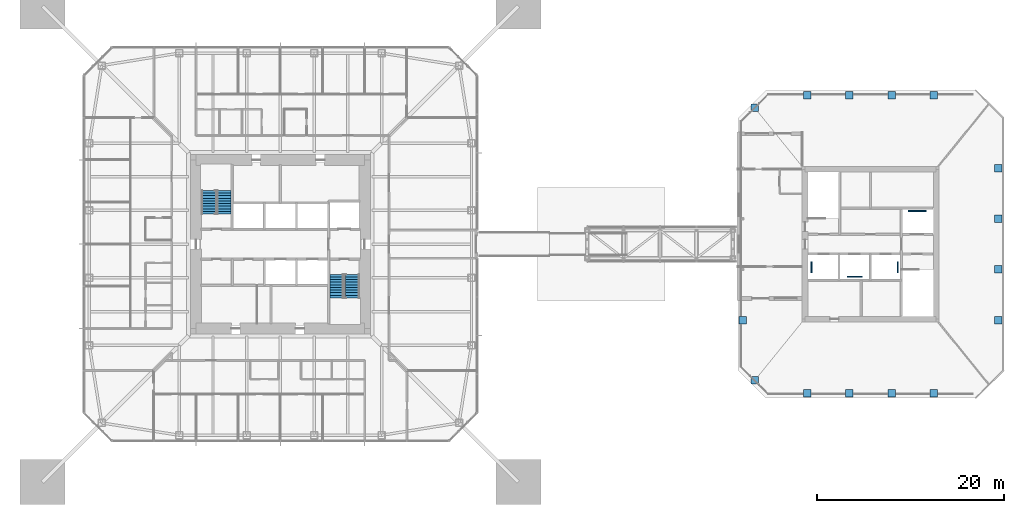
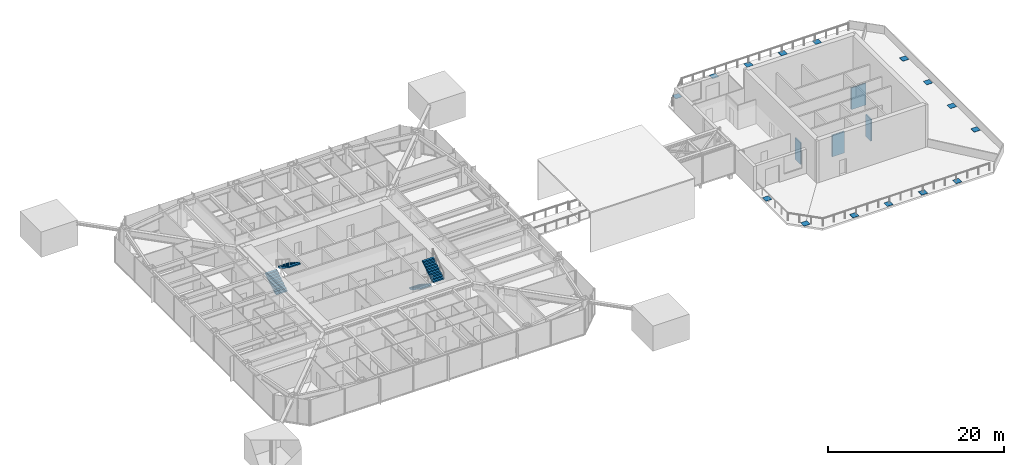
# One storey, part 17 of 23: 19 discrete accessories, 4 stair flights, 2 elements without a shape of their own.
"""IFC4 building model written with IfcOpenShell, lengths in metres."""

from ifc_helpers import new_model, si_unit, direction, frame, origin, origin_2d, place, context, subcontext, project, spatial, polyline, rectangle, outline, extrude, material, constituent, constituent_set, type_object, element, aggregate, save


model = new_model("IFC4")

# Units and contexts
model_context = context("Model", 3, precision=1e-05, world=origin(), true_north=direction((0.0, 1.0)))
body_context = subcontext(model_context, "Body", "Model", "MODEL_VIEW")
ifc_project = project(units=[si_unit("LENGTHUNIT", "METRE"), si_unit("AREAUNIT", "SQUARE_METRE"), si_unit("VOLUMEUNIT", "CUBIC_METRE"), si_unit("PLANEANGLEUNIT", "RADIAN"), si_unit("MASSUNIT", "GRAM", prefix="KILO")], contexts=[model_context])

# Site, building, storey
site_placement = place(None, origin())
site = spatial("IfcSite", under=ifc_project, at=site_placement, CompositionType="ELEMENT")
building_placement = place(site_placement, origin())
building = spatial("IfcBuilding", under=site, at=building_placement, Name="Iwan Alto Co-Living Towers", CompositionType="ELEMENT")
storey_placement = place(building_placement, frame((0.0, 0.0, 129.5)))
storey = spatial("IfcBuildingStorey", under=building, at=storey_placement, Name="L35", CompositionType="ELEMENT", Elevation=129.5)

# Stair, stair flights
ifc_material_1 = material(Name="Steel ASTM A36", Category="steel")
ifc_constituent_1 = constituent(ifc_material_1, Name="Stringers", Category="LoadBearing")
ifc_material_2 = material(Name="Concrete f'c 30 MPa", Category="concrete")
ifc_constituent_2 = constituent(ifc_material_2, Name="Tread fill", Category="Finish")
ifc_constituent_set_1 = constituent_set(constituents=[ifc_constituent_1, ifc_constituent_2], Name="STAIR 3500 TWO-FLIGHT T1 CORE")
stair_type = type_object("IfcStairType", Name="STAIR 3500 TWO-FLIGHT T1 CORE", PredefinedType="HALF_TURN_STAIR", material=ifc_constituent_set_1)
stair_1_placement = place(storey_placement, origin())
stair_1 = element("IfcStair", 1, at=stair_1_placement, inside=storey, type_object=stair_type, Name="Stair T1-S1 L35 to L36", PredefinedType="HALF_TURN_STAIR")
ifc_constituent_3 = constituent(ifc_material_1, Name="Stringers", Category="LoadBearing")
ifc_constituent_4 = constituent(ifc_material_2, Name="Tread fill", Category="Finish")
ifc_constituent_set_2 = constituent_set(constituents=[ifc_constituent_3, ifc_constituent_4], Name="STAIR FLIGHT 10 RISERS 280 GOING")
stair_flight_type = type_object("IfcStairFlightType", Name="STAIR FLIGHT 10 RISERS 280 GOING", PredefinedType="STRAIGHT", material=ifc_constituent_set_2)
stair_flight_1_placement = place(storey_placement, frame((-7.68994140625, 3.219970703125, 0.0), z_axis=(0.0, 0.0, 1.0), x_axis=(0.0, 1.0, 0.0)))
stair_flight_1 = element("IfcStairFlight", 2, at=stair_flight_1_placement, type_object=stair_flight_type, Name="T1-S1 flight 1", NumberOfRisers=10, NumberOfTreads=9, PredefinedType="STRAIGHT", RiserHeight=0.175, TreadLength=0.28, context=body_context, shape_type="SweptSolid", body=[
    extrude(outline(polyline([(0.0, 0.0), (0.0, 0.175048828125), (0.280029296875, 0.175048828125), (0.280029296875, 0.35009765625), (0.56005859375, 0.35009765625), (0.56005859375, 0.52490234375), (0.840087890625, 0.52490234375), (0.840087890625, 0.699951171875), (1.1201171875, 0.699951171875), (1.1201171875, 0.875), (1.39990234375, 0.875), (1.39990234375, 1.050048828125), (1.679931640625, 1.050048828125), (1.679931640625, 1.22509765625), (1.9599609375, 1.22509765625), (1.9599609375, 1.39990234375), (2.239990234375, 1.39990234375), (2.239990234375, 1.574951171875), (2.52001953125, 1.574951171875), (2.52001953125, 1.75), (2.52001953125, 1.398193359375), (0.28271484375, 0.0), (0.0, 0.0)])), frame((0.0, 0.739990234375, 0.0), z_axis=(0.0, -1.0, 0.0), x_axis=(1.0, 0.0, 0.0)), (0.0, 0.0, 1.0), 1.47998046875),
])
stair_flight_2_placement = place(storey_placement, frame((-6.010009765625, 5.739990234375, 1.75), z_axis=(0.0, 0.0, 1.0), x_axis=(0.0, -1.0, 0.0)))
stair_flight_2 = element("IfcStairFlight", 3, at=stair_flight_2_placement, type_object=stair_flight_type, Name="T1-S1 flight 2", NumberOfRisers=10, NumberOfTreads=9, PredefinedType="STRAIGHT", RiserHeight=0.175, TreadLength=0.28, context=body_context, shape_type="SweptSolid", body=[
    extrude(outline(polyline([(0.0, 0.0), (0.0, 0.175048828125), (0.280029296875, 0.175048828125), (0.280029296875, 0.35009765625), (0.56005859375, 0.35009765625), (0.56005859375, 0.52490234375), (0.840087890625, 0.52490234375), (0.840087890625, 0.699951171875), (1.1201171875, 0.699951171875), (1.1201171875, 0.875), (1.39990234375, 0.875), (1.39990234375, 1.050048828125), (1.679931640625, 1.050048828125), (1.679931640625, 1.22509765625), (1.9599609375, 1.22509765625), (1.9599609375, 1.39990234375), (2.239990234375, 1.39990234375), (2.239990234375, 1.574951171875), (2.52001953125, 1.574951171875), (2.52001953125, 1.75), (2.52001953125, 1.398193359375), (0.28271484375, 0.0), (0.0, 0.0)])), frame((0.0, 0.739990234375, 0.0), z_axis=(0.0, -1.0, 0.0), x_axis=(1.0, 0.0, 0.0)), (0.0, 0.0, 1.0), 1.47998046875),
])
aggregate(stair_1, [stair_flight_1, stair_flight_2])

stair_2_placement = place(storey_placement, origin())
stair_2 = element("IfcStair", 4, at=stair_2_placement, inside=storey, type_object=stair_type, Name="Stair T1-S2 L35 to L36", PredefinedType="HALF_TURN_STAIR")
stair_flight_3_placement = place(storey_placement, frame((6.010009765625, -3.219970703125, 0.0), z_axis=(0.0, 0.0, 1.0), x_axis=(0.0, -1.0, 0.0)))
stair_flight_3 = element("IfcStairFlight", 5, at=stair_flight_3_placement, type_object=stair_flight_type, Name="T1-S2 flight 1", NumberOfRisers=10, NumberOfTreads=9, PredefinedType="STRAIGHT", RiserHeight=0.175, TreadLength=0.28, context=body_context, shape_type="SweptSolid", body=[
    extrude(outline(polyline([(0.0, 0.0), (0.0, 0.175048828125), (0.280029296875, 0.175048828125), (0.280029296875, 0.35009765625), (0.56005859375, 0.35009765625), (0.56005859375, 0.52490234375), (0.840087890625, 0.52490234375), (0.840087890625, 0.699951171875), (1.1201171875, 0.699951171875), (1.1201171875, 0.875), (1.39990234375, 0.875), (1.39990234375, 1.050048828125), (1.679931640625, 1.050048828125), (1.679931640625, 1.22509765625), (1.9599609375, 1.22509765625), (1.9599609375, 1.39990234375), (2.239990234375, 1.39990234375), (2.239990234375, 1.574951171875), (2.52001953125, 1.574951171875), (2.52001953125, 1.75), (2.52001953125, 1.398193359375), (0.28271484375, 0.0), (0.0, 0.0)])), frame((0.0, 0.739990234375, 0.0), z_axis=(0.0, -1.0, 0.0), x_axis=(1.0, 0.0, 0.0)), (0.0, 0.0, 1.0), 1.47998046875),
])
stair_flight_4_placement = place(storey_placement, frame((7.68994140625, -5.739990234375, 1.75), z_axis=(0.0, 0.0, 1.0), x_axis=(0.0, 1.0, 0.0)))
stair_flight_4 = element("IfcStairFlight", 6, at=stair_flight_4_placement, type_object=stair_flight_type, Name="T1-S2 flight 2", NumberOfRisers=10, NumberOfTreads=9, PredefinedType="STRAIGHT", RiserHeight=0.175, TreadLength=0.28, context=body_context, shape_type="SweptSolid", body=[
    extrude(outline(polyline([(0.0, 0.0), (0.0, 0.175048828125), (0.280029296875, 0.175048828125), (0.280029296875, 0.35009765625), (0.56005859375, 0.35009765625), (0.56005859375, 0.52490234375), (0.840087890625, 0.52490234375), (0.840087890625, 0.699951171875), (1.1201171875, 0.699951171875), (1.1201171875, 0.875), (1.39990234375, 0.875), (1.39990234375, 1.050048828125), (1.679931640625, 1.050048828125), (1.679931640625, 1.22509765625), (1.9599609375, 1.22509765625), (1.9599609375, 1.39990234375), (2.239990234375, 1.39990234375), (2.239990234375, 1.574951171875), (2.52001953125, 1.574951171875), (2.52001953125, 1.75), (2.52001953125, 1.398193359375), (0.28271484375, 0.0), (0.0, 0.0)])), frame((0.0, 0.739990234375, 0.0), z_axis=(0.0, -1.0, 0.0), x_axis=(1.0, 0.0, 0.0)), (0.0, 0.0, 1.0), 1.47998046875),
])
aggregate(stair_2, [stair_flight_3, stair_flight_4])

# Discrete accessories
ifc_material_3 = material(Name="Steel ASTM A36", Category="steel")
discrete_accessory_type = type_object("IfcDiscreteAccessoryType", Name="END PLATE 800X800X25", PredefinedType="USERDEFINED", material=ifc_material_3)
for number, where, z_axis, x_axis, name in (
    (7, (50.638671875, -14.542724609375, 0.0), (0.0, 0.0, 1.0), (1.0, 0.0, 0.0), "T2 ring column CSW L34 end plate"),
    (8, (56.25, -15.89990234375, 0.0), (0.0, 0.0, 1.0), (1.0, 0.0, 0.0), "T2 ring column S1 L34 end plate"),
    (9, (60.75, -15.89990234375, 0.0), (0.0, 0.0, 1.0), (1.0, 0.0, 0.0), "T2 ring column S2 L34 end plate"),
    (10, (65.25, -15.89990234375, 0.0), (0.0, 0.0, 1.0), (1.0, 0.0, 0.0), "T2 ring column S3 L34 end plate"),
    (11, (69.75, -15.89990234375, 0.0), (0.0, 0.0, 1.0), (1.0, 0.0, 0.0), "T2 ring column S4 L34 end plate"),
    (12, (76.64990234375, -8.10009765625, 0.0), (0.0, 0.0, 1.0), (1.0, 0.0, 0.0), "T2 ring column E1 L34 end plate"),
    (13, (76.64990234375, -2.699951171875, 0.0), (0.0, 0.0, 1.0), (1.0, 0.0, 0.0), "T2 ring column E2 L34 end plate"),
    (14, (76.64990234375, 2.699951171875, 0.0), (0.0, 0.0, 1.0), (1.0, 0.0, 0.0), "T2 ring column E3 L34 end plate"),
    (15, (76.64990234375, 8.10009765625, 0.0), (0.0, 0.0, 1.0), (1.0, 0.0, 0.0), "T2 ring column E4 L34 end plate"),
    (16, (69.75, 15.89990234375, 0.0), (0.0, 0.0, 1.0), (1.0, 0.0, 0.0), "T2 ring column N1 L34 end plate"),
    (17, (65.25, 15.89990234375, 0.0), (0.0, 0.0, 1.0), (1.0, 0.0, 0.0), "T2 ring column N2 L34 end plate"),
    (18, (60.75, 15.89990234375, 0.0), (0.0, 0.0, 1.0), (1.0, 0.0, 0.0), "T2 ring column N3 L34 end plate"),
    (19, (56.25, 15.89990234375, 0.0), (0.0, 0.0, 1.0), (1.0, 0.0, 0.0), "T2 ring column N4 L34 end plate"),
    (20, (50.638671875, 14.542724609375, 0.0), (0.0, 0.0, 1.0), (1.0, 0.0, 0.0), "T2 ring column CNW L34 end plate"),
    (21, (49.35009765625, -8.10009765625, 0.0), (0.0, 0.0, 1.0), (1.0, 0.0, 0.0), "T2 ring column W4 L34 end plate"),
):
    element("IfcDiscreteAccessory", number, at=place(storey_placement, frame(where, z_axis=z_axis, x_axis=x_axis)), inside=storey, type_object=discrete_accessory_type, Name=name, ObjectType="END PLATE", PredefinedType="USERDEFINED", context=body_context, shape_type="SweptSolid", body=[
        extrude(rectangle(XDim=0.800048828125, YDim=0.800048828125, at=origin_2d()), origin(), (0.0, 0.0, 1.0), 0.02490234375),
    ])
placement_1 = place(building_placement, frame((0.0, 0.0, -7.199951171875)))
placement_2 = place(placement_1, frame((57.966552734375, -2.449951171875, 0.0), z_axis=(0.0, 0.0, 1.0), x_axis=(1.0, 0.0, 0.0)))
discrete_accessory_1_placement = place(placement_2, origin())
element("IfcDiscreteAccessory", 22, at=discrete_accessory_1_placement, inside=storey, material=ifc_material_1, Name="Lift P5-1 counterweight", ObjectType="Lift counterweight", PredefinedType="USERDEFINED", context=body_context, shape_type="SweptSolid", body=[
    extrude(rectangle(XDim=0.15, YDim=1.2000000000000002, at=origin_2d()), frame((-1.27490234375, 0.0, 135.800048828125)), (0.0, 0.0, 1.0), 3.0),
])
placement_3 = place(placement_1, frame((61.300048828125, -2.449951171875, 0.0), z_axis=(0.0, 0.0, 1.0), x_axis=(1.0, 0.0, 0.0)))
discrete_accessory_2_placement = place(placement_3, origin())
element("IfcDiscreteAccessory", 23, at=discrete_accessory_2_placement, inside=storey, material=ifc_material_1, Name="Lift P5-2 counterweight", ObjectType="Lift counterweight", PredefinedType="USERDEFINED", context=body_context, shape_type="SweptSolid", body=[
    extrude(rectangle(XDim=1.6, YDim=0.15, at=origin_2d()), frame((0.0, -1.02490234375, 135.800048828125)), (0.0, 0.0, 1.0), 3.0),
])
placement_4 = place(placement_1, frame((64.633544921875, -2.449951171875, 0.0), z_axis=(0.0, 0.0, 1.0), x_axis=(1.0, 0.0, 0.0)))
discrete_accessory_3_placement = place(placement_4, origin())
element("IfcDiscreteAccessory", 24, at=discrete_accessory_3_placement, inside=storey, material=ifc_material_1, Name="Lift P6-3 counterweight", ObjectType="Lift counterweight", PredefinedType="USERDEFINED", context=body_context, shape_type="SweptSolid", body=[
    extrude(rectangle(XDim=0.15, YDim=1.2000000000000002, at=origin_2d()), frame((1.27490234375, 0.0, 135.800048828125)), (0.0, 0.0, 1.0), 3.0),
])
placement_5 = place(placement_1, frame((68.0, 2.449951171875, 0.0), z_axis=(0.0, 0.0, 1.0), x_axis=(1.0, 0.0, 0.0)))
discrete_accessory_4_placement = place(placement_5, origin())
element("IfcDiscreteAccessory", 25, at=discrete_accessory_4_placement, inside=storey, material=ifc_material_1, Name="Lift FL2 counterweight", ObjectType="Lift counterweight", PredefinedType="USERDEFINED", context=body_context, shape_type="SweptSolid", body=[
    extrude(rectangle(XDim=1.92, YDim=0.15, at=origin_2d()), frame((0.0, 1.074951171875, 135.800048828125)), (0.0, 0.0, 1.0), 3.0),
])

save(model, "model.ifc")
